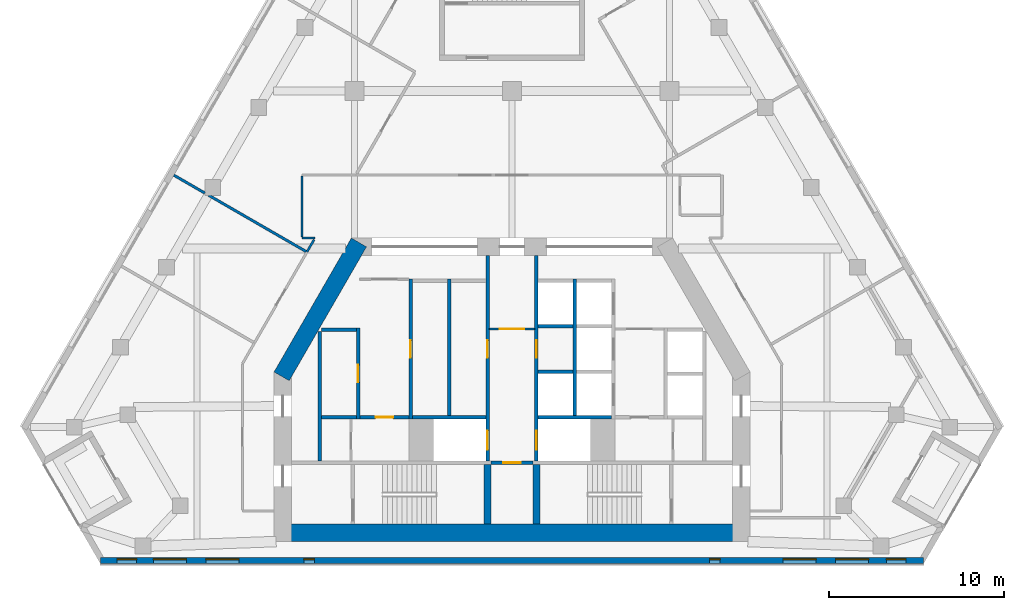
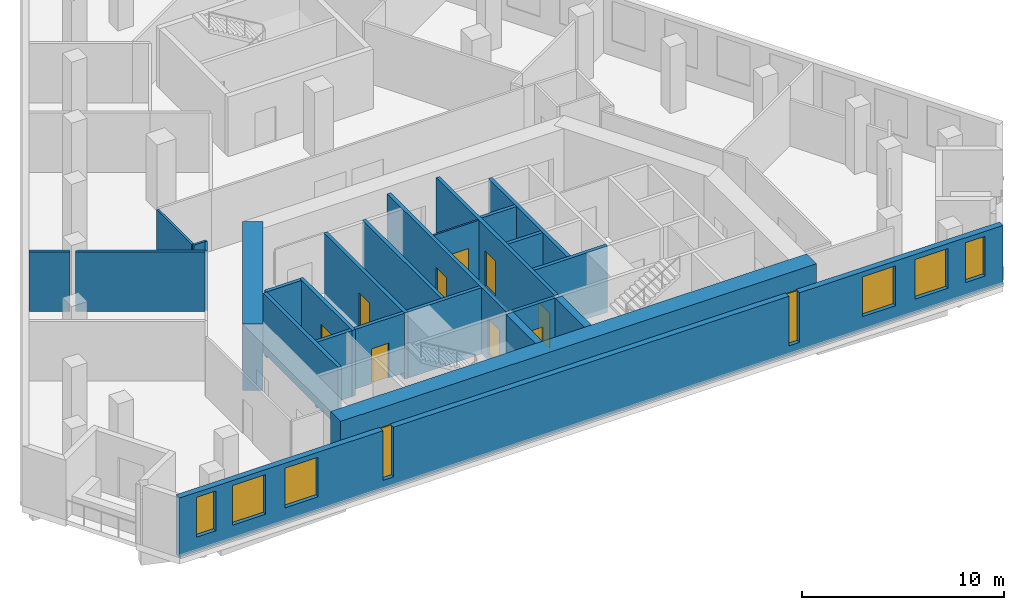
# One storey, part 4 of 9: 26 walls, 9 doors, 8 windows, 17 openings.
"""IFC4 building model written with IfcOpenShell, lengths in metres."""

import ifcopenshell
import ifcopenshell.guid

model = None  # the IFC model being written
_history = None  # IfcOwnerHistory: only IFC2X3 demands one
_inside = {}  # id of a spatial element -> (the spatial element, [elements in it])
_under = {}  # id of a project, library or spatial element -> (it, [spatial elements below it])
_declared = {}  # id of a project -> (the project, [libraries it declares])
_typed = {}  # id of a type object -> (the type object, [elements of that type])
_made_of = {}  # id of a material, layer set ... -> (it, [elements and type objects made of it])


def new_model(schema):
    """Start an empty IFC model of exactly this schema.

    Asked for "IFC4X3", IfcOpenShell would pick the latest addendum, in which some entities
    have other attributes; the version numbers below select the first issue.
    IFC2X3 requires an IfcOwnerHistory on every rooted entity: one is made here for all.
    """
    global model, _history
    if schema == "IFC4X3":
        model = ifcopenshell.file(schema_version=(4, 3, 0, 0))
    else:
        model = ifcopenshell.file(schema=schema)
    _inside.clear()
    _under.clear()
    _declared.clear()
    _typed.clear()
    _made_of.clear()
    _history = None
    if model.schema == "IFC2X3":
        org = make("IfcOrganization", Name="unknown")
        user = make(
            "IfcPersonAndOrganization",
            ThePerson=make("IfcPerson", FamilyName="unknown"),
            TheOrganization=org,
        )
        app = make(
            "IfcApplication",
            ApplicationDeveloper=org,
            Version="unknown",
            ApplicationFullName="unknown",
            ApplicationIdentifier="unknown",
        )
        _history = make(
            "IfcOwnerHistory",
            OwningUser=user,
            OwningApplication=app,
            ChangeAction="ADDED",
            CreationDate=0,
        )
    return model


def make(cls, **values):
    """One entity of the class cls with the attributes given. An attribute that is None is left unset."""
    return model.create_entity(
        cls, **{name: value for name, value in values.items() if value is not None}
    )


def rooted(cls, **values):
    """An entity with a GlobalId (a new one), such as an element, a storey or a relation."""
    return make(cls, GlobalId=ifcopenshell.guid.new(), OwnerHistory=_history, **values)


def si_unit(unit_type, name, prefix=None):
    """IfcSIUnit, for example si_unit("LENGTHUNIT", "METRE", prefix="MILLI")."""
    return make("IfcSIUnit", UnitType=unit_type, Prefix=prefix, Name=name)


def assignment(units):
    """IfcUnitAssignment: the units of a project."""
    return None if units is None else make("IfcUnitAssignment", Units=units)


def point(xyz):
    """IfcCartesianPoint."""
    return None if xyz is None else make("IfcCartesianPoint", Coordinates=xyz)


def direction(xyz):
    """IfcDirection."""
    return None if xyz is None else make("IfcDirection", DirectionRatios=xyz)


def frame(location, z_axis=None, x_axis=None):
    """IfcAxis2Placement3D, a coordinate frame: its origin and axes. An axis left out is left unset."""
    return make(
        "IfcAxis2Placement3D",
        Location=point(location),
        Axis=direction(z_axis),
        RefDirection=direction(x_axis),
    )


def frame_2d(location, x_axis=None):
    """IfcAxis2Placement2D, a coordinate frame in the plane: its origin and x axis."""
    return make(
        "IfcAxis2Placement2D", Location=point(location), RefDirection=direction(x_axis)
    )


def origin():
    """The frame at (0, 0, 0) with its axes left unset."""
    return frame((0.0, 0.0, 0.0))


def place(relative_to, where):
    """IfcLocalPlacement: puts the frame where relative to a parent placement (None: the world)."""
    return make(
        "IfcLocalPlacement", PlacementRelTo=relative_to, RelativePlacement=where
    )


def context(
    kind, dimensions, precision=None, world=None, true_north=None, identifier=None
):
    """IfcGeometricRepresentationContext, for example the 3D "Model" context."""
    return make(
        "IfcGeometricRepresentationContext",
        ContextIdentifier=identifier,
        ContextType=kind,
        CoordinateSpaceDimension=dimensions,
        Precision=precision,
        WorldCoordinateSystem=world,
        TrueNorth=true_north,
    )


def subcontext(parent, identifier, kind, view, scale=None):
    """IfcGeometricRepresentationSubContext, for example "Body" below "Model"."""
    return make(
        "IfcGeometricRepresentationSubContext",
        ContextIdentifier=identifier,
        ContextType=kind,
        ParentContext=parent,
        TargetScale=scale,
        TargetView=view,
    )


def project(units=None, contexts=None):
    """IfcProject with its units and contexts."""
    return rooted(
        "IfcProject",
        Name="project",
        RepresentationContexts=contexts,
        UnitsInContext=assignment(units),
    )


def spatial(cls, under=None, at=None, **own):
    """A site, building, storey or space (cls), placed at a placement, below another one or the project."""
    s = rooted(cls, ObjectPlacement=at, **own)
    if under is not None:
        _under.setdefault(under.id(), (under, []))[1].append(s)
    return s


def profile(cls, at=None, kind="AREA", **sizes):
    """A parametric profile (cls). Its sizes go by their IFC names, for example OverallWidth=200.0."""
    return make(cls, ProfileType=kind, Position=at, **sizes)


def rectangle(**sizes):
    """IfcRectangleProfileDef."""
    return profile("IfcRectangleProfileDef", **sizes)


def extrude(swept, where, along, depth):
    """IfcExtrudedAreaSolid: the profile swept, set in the frame where, extruded along a direction by depth."""
    return make(
        "IfcExtrudedAreaSolid",
        SweptArea=swept,
        Position=where,
        ExtrudedDirection=direction(along),
        Depth=depth,
    )


def shape(context_of_items, identifier, shape_type, items):
    """IfcShapeRepresentation: the items that make up one representation, for example the "Body"."""
    return make(
        "IfcShapeRepresentation",
        ContextOfItems=context_of_items,
        RepresentationIdentifier=identifier,
        RepresentationType=shape_type,
        Items=items,
    )


def material(Name=None, Category=None):
    """IfcMaterial."""
    return make("IfcMaterial", Name=Name, Category=Category)


def layer(
    of_material, thickness, ventilated=None, Name=None, Category=None, Priority=None
):
    """IfcMaterialLayer: one layer of a wall or slab, of a material (None: an air gap)."""
    return make(
        "IfcMaterialLayer",
        Material=of_material,
        LayerThickness=thickness,
        IsVentilated=ventilated,
        Name=Name,
        Category=Category,
        Priority=Priority,
    )


def layer_set(layers, Name=None):
    """IfcMaterialLayerSet."""
    return make("IfcMaterialLayerSet", MaterialLayers=layers, LayerSetName=Name)


def made_of(thing, what):
    """Note that an element or type object is made of a material, layer set ...; save() writes the relation."""
    if what is not None:
        _made_of.setdefault(what.id(), (what, []))[1].append(thing)
    return thing


def type_object(cls, material=None, **own):
    """A type object (cls), such as IfcWallType, which elements share."""
    return made_of(rooted(cls, **own), material)


def element(
    cls,
    number,
    at=None,
    inside=None,
    cuts=None,
    type_object=None,
    material=None,
    context=None,
    identifier="Body",
    shape_type=None,
    held_by="IfcProductDefinitionShape",
    body=None,
    shapes=None,
    **own,
):
    """One element of the class cls, such as IfcWall. Its Tag is "e" and its number.

    at: its placement. inside: the storey or other place that contains it. cuts: it is an
    opening in that element (IfcRelVoidsElement). A single representation is given by context,
    identifier, shape_type and body (its items); several are given by shapes. held_by: the class
    of the entity that holds the representations. save() writes the other relations.
    """
    e = rooted(cls, Tag="e%d" % number, ObjectPlacement=at, **own)
    if body is not None:
        shapes = [shape(context, identifier, shape_type, body)]
    if shapes is not None:
        e.Representation = make(held_by, Representations=shapes)
    if inside is not None:
        _inside.setdefault(inside.id(), (inside, []))[1].append(e)
    if cuts is not None:
        rooted(
            "IfcRelVoidsElement", RelatingBuildingElement=cuts, RelatedOpeningElement=e
        )
    if type_object is not None:
        _typed.setdefault(type_object.id(), (type_object, []))[1].append(e)
    return made_of(e, material)


def fill(opening, filler):
    """IfcRelFillsElement: the door or window that sits in an opening."""
    return rooted(
        "IfcRelFillsElement",
        RelatingOpeningElement=opening,
        RelatedBuildingElement=filler,
    )


def aggregate(whole, parts):
    """IfcRelAggregates: a whole, such as a stair, and the parts it consists of."""
    return rooted("IfcRelAggregates", RelatingObject=whole, RelatedObjects=parts)


def save(model, path):
    """Write the relations noted so far, then the file.

    IfcRelAggregates (storeys below a building ...), IfcRelContainedInSpatialStructure (elements
    in a storey), IfcRelDefinesByType, IfcRelAssociatesMaterial and IfcRelDeclares: one each for
    every whole, place, type object, material and project.
    """
    for whole, parts in _under.values():
        aggregate(whole, parts)
    for where, things in _inside.values():
        rooted(
            "IfcRelContainedInSpatialStructure",
            RelatedElements=things,
            RelatingStructure=where,
        )
    for kind, things in _typed.values():
        rooted("IfcRelDefinesByType", RelatedObjects=things, RelatingType=kind)
    for what, things in _made_of.values():
        rooted("IfcRelAssociatesMaterial", RelatedObjects=things, RelatingMaterial=what)
    for by, libraries in _declared.values():
        rooted("IfcRelDeclares", RelatingContext=by, RelatedDefinitions=libraries)
    model.write(path)


model = new_model("IFC4")

# Units and contexts
model_context = context("Model", 3, precision=1e-05, world=origin(), true_north=direction((0.0, 1.0)))
body_context = subcontext(model_context, "Body", "Model", "MODEL_VIEW")
ifc_project = project(units=[si_unit("LENGTHUNIT", "METRE"), si_unit("AREAUNIT", "SQUARE_METRE"), si_unit("VOLUMEUNIT", "CUBIC_METRE"), si_unit("PLANEANGLEUNIT", "RADIAN"), si_unit("MASSUNIT", "GRAM", prefix="KILO")], contexts=[model_context])

# Site, building, storey
site_placement = place(None, origin())
site = spatial("IfcSite", under=ifc_project, at=site_placement, CompositionType="ELEMENT")
building_placement = place(site_placement, origin())
building = spatial("IfcBuilding", under=site, at=building_placement, Name="Fogline Exchange Tower", CompositionType="ELEMENT")
storey_placement = place(building_placement, frame((0.0, 0.0, 182.10009765625)))
storey = spatial("IfcBuildingStorey", under=building, at=storey_placement, Name="L40", CompositionType="ELEMENT", Elevation=182.10009765625)

# Wall, opening, door
ifc_material_1 = material(Name="Blockwork partition", Category="masonry")
ifc_layer_1 = layer(ifc_material_1, 0.10009765625)
ifc_layer_set_1 = layer_set([ifc_layer_1], Name="CW10")
wall_type_1 = type_object("IfcWallType", Name="CW10", PredefinedType="PARTITIONING", material=ifc_layer_set_1)
wall_1_placement = place(storey_placement, frame((-1.300048828125, 13.39990234375, 0.0), z_axis=(0.0, 0.0, 1.0), x_axis=(1.0, 0.0, 0.0)))
wall_1 = element("IfcWall", 1, at=wall_1_placement, inside=storey, type_object=wall_type_1, Name="Lift lobby partition", PredefinedType="PARTITIONING", context=body_context, shape_type="SweptSolid", body=[
    extrude(rectangle(XDim=2.60009765625, YDim=0.10009765625, at=frame_2d((1.300048828125, 0.0))), origin(), (0.0, 0.0, 1.0), 3.599853515625),
])
opening_1_placement = place(wall_1_placement, frame((0.60009765625, 0.0, 0.0)))
opening_1 = element("IfcOpeningElement", 2, at=opening_1_placement, cuts=wall_1, Name="Opening T13-C018", PredefinedType="OPENING", context=body_context, shape_type="SweptSolid", body=[
    extrude(rectangle(XDim=1.39990234375, YDim=2.10009765625, at=frame_2d((0.699951171875, 1.050048828125))), frame((0.0, 0.06005859375, 0.0), z_axis=(0.0, -1.0, 0.0), x_axis=(1.0, 0.0, 0.0)), (0.0, 0.0, 1.0), 0.1201171875),
])
ifc_material_2 = material(Name="Steel and timber fire door", Category="steel")
door_type_1 = type_object("IfcDoorType", Name="D-LB1", OperationType="DOUBLE_DOOR_SINGLE_SWING", PredefinedType="DOOR", material=ifc_material_2)
door_1_placement = place(opening_1_placement, origin())
door_1 = element("IfcDoor", 3, at=door_1_placement, inside=storey, type_object=door_type_1, Name="Door to firefighting lift lobby", OperationType="DOUBLE_DOOR_SINGLE_SWING", OverallHeight=2.10009765625, OverallWidth=1.39990234375, PredefinedType="DOOR", context=body_context, shape_type="SweptSolid", body=[
    extrude(rectangle(XDim=1.39990234375, YDim=2.10009765625, at=frame_2d((0.699951171875, 1.050048828125))), frame((0.0, 0.02490234375, 0.0), z_axis=(0.0, -1.0, 0.0), x_axis=(1.0, 0.0, 0.0)), (0.0, 0.0, 1.0), 0.050048828125),
])
fill(opening_1, door_1)

# Wall
ifc_material_3 = material(Name="Concrete C40", Category="concrete")
ifc_layer_2 = layer(ifc_material_3, 0.199951171875)
ifc_layer_set_2 = layer_set([ifc_layer_2], Name="CW20")
wall_type_2 = type_object("IfcWallType", Name="CW20", PredefinedType="SOLIDWALL", material=ifc_layer_set_2)
wall_2_placement = place(storey_placement, frame((-11.0, 5.85009765625, 0.0), z_axis=(0.0, 0.0, 1.0), x_axis=(0.0, 1.0, 0.0)))
element("IfcWall", 4, at=wall_2_placement, inside=storey, type_object=wall_type_2, Name="Service room wall", PredefinedType="SOLIDWALL", context=body_context, shape_type="SweptSolid", body=[
    extrude(rectangle(XDim=7.39990234375, YDim=0.199951171875, at=frame_2d((3.699951171875, 0.0))), origin(), (0.0, 0.0, 1.0), 3.599853515625),
])

# Wall, opening, door
wall_3_placement = place(storey_placement, frame((-8.699951171875, 8.35009765625, 0.0), z_axis=(0.0, 0.0, 1.0), x_axis=(1.0, 0.0, 0.0)))
wall_3 = element("IfcWall", 5, at=wall_3_placement, inside=storey, type_object=wall_type_2, Name="WC wall", PredefinedType="SOLIDWALL", context=body_context, shape_type="SweptSolid", body=[
    extrude(rectangle(XDim=2.800048828125, YDim=0.199951171875, at=frame_2d((1.39990234375, 0.0))), origin(), (0.0, 0.0, 1.0), 3.599853515625),
])
opening_2_placement = place(wall_3_placement, frame((0.89990234375, 0.0, 0.0)))
opening_2 = element("IfcOpeningElement", 6, at=opening_2_placement, cuts=wall_3, Name="Opening T13-C007", PredefinedType="OPENING", context=body_context, shape_type="SweptSolid", body=[
    extrude(rectangle(XDim=1.0, YDim=2.10009765625, at=frame_2d((0.5, 1.050048828125))), frame((0.0, 0.10986328125, 0.0), z_axis=(0.0, -1.0, 0.0), x_axis=(1.0, 0.0, 0.0)), (0.0, 0.0, 1.0), 0.219970703125),
])
door_type_2 = type_object("IfcDoorType", Name="D-WC1", OperationType="SINGLE_SWING_LEFT", PredefinedType="DOOR", material=ifc_material_2)
door_2_placement = place(opening_2_placement, frame((1.0, 0.0, 0.0), z_axis=(0.0, 0.0, 1.0), x_axis=(-1.0, 0.0, 0.0)))
door_2 = element("IfcDoor", 7, at=door_2_placement, inside=storey, type_object=door_type_2, Name="Door to Men's WC", OperationType="SINGLE_SWING_LEFT", OverallHeight=2.10009765625, OverallWidth=1.0, PredefinedType="DOOR", context=body_context, shape_type="SweptSolid", body=[
    extrude(rectangle(XDim=1.0, YDim=2.10009765625, at=frame_2d((0.5, 1.050048828125))), frame((0.0, 0.02490234375, 0.0), z_axis=(0.0, -1.0, 0.0), x_axis=(1.0, 0.0, 0.0)), (0.0, 0.0, 1.0), 0.050048828125),
])
fill(opening_2, door_2)

ifc_layer_3 = layer(ifc_material_3, 0.199951171875)
ifc_layer_set_3 = layer_set([ifc_layer_3], Name="CW20R")
wall_type_3 = type_object("IfcWallType", Name="CW20R", PredefinedType="SOLIDWALL", material=ifc_layer_set_3)
wall_4_placement = place(storey_placement, frame((-1.199951171875, 5.75, -0.400146484375), z_axis=(0.0, 0.0, 1.0), x_axis=(1.0, 0.0, 0.0)))
wall_4 = element("IfcWall", 8, at=wall_4_placement, inside=storey, type_object=wall_type_3, Name="Stair enclosure wall", PredefinedType="SOLIDWALL", context=body_context, shape_type="SweptSolid", body=[
    extrude(rectangle(XDim=2.39990234375, YDim=0.199951171875, at=frame_2d((1.199951171875, 0.0))), origin(), (0.0, 0.0, 1.0), 4.0),
])
opening_3_placement = place(wall_4_placement, frame((0.699951171875, 0.0, 0.39990234375)))
opening_3 = element("IfcOpeningElement", 9, at=opening_3_placement, cuts=wall_4, Name="Opening T13-C005", PredefinedType="OPENING", context=body_context, shape_type="SweptSolid", body=[
    extrude(rectangle(XDim=1.0, YDim=2.10009765625, at=frame_2d((0.5, 1.050048828125))), frame((0.0, 0.10986328125, 0.0), z_axis=(0.0, -1.0, 0.0), x_axis=(1.0, 0.0, 0.0)), (0.0, 0.0, 1.0), 0.219970703125),
])
door_type_3 = type_object("IfcDoorType", Name="D-RM1", OperationType="SINGLE_SWING_LEFT", PredefinedType="DOOR", material=ifc_material_2)
door_3_placement = place(opening_3_placement, frame((1.0, 0.0, 0.0), z_axis=(0.0, 0.0, 1.0), x_axis=(-1.0, 0.0, 0.0)))
door_3 = element("IfcDoor", 10, at=door_3_placement, inside=storey, type_object=door_type_3, Name="Door to Riser Room", OperationType="SINGLE_SWING_RIGHT", OverallHeight=2.10009765625, OverallWidth=1.0, PredefinedType="DOOR", context=body_context, shape_type="SweptSolid", body=[
    extrude(rectangle(XDim=1.0, YDim=2.10009765625, at=frame_2d((0.5, 1.050048828125))), frame((0.0, 0.02490234375, 0.0), z_axis=(0.0, -1.0, 0.0), x_axis=(1.0, 0.0, 0.0)), (0.0, 0.0, 1.0), 0.050048828125),
])
fill(opening_3, door_3)

ifc_layer_4 = layer(ifc_material_3, 0.199951171875)
ifc_layer_set_4 = layer_set([ifc_layer_4], Name="CW20S")
wall_type_4 = type_object("IfcWallType", Name="CW20S", PredefinedType="SOLIDWALL", material=ifc_layer_set_4)
wall_5_placement = place(storey_placement, frame((-8.800048828125, 8.25, -0.400146484375), z_axis=(0.0, 0.0, 1.0), x_axis=(0.0, 1.0, 0.0)))
wall_5 = element("IfcWall", 11, at=wall_5_placement, inside=storey, type_object=wall_type_4, Name="Lift shaft wall", PredefinedType="SOLIDWALL", context=body_context, shape_type="SweptSolid", body=[
    extrude(rectangle(XDim=5.199951171875, YDim=0.199951171875, at=frame_2d((2.60009765625, 0.0))), origin(), (0.0, 0.0, 1.0), 4.0),
])
opening_4_placement = place(wall_5_placement, frame((2.10009765625, 0.0, 0.39990234375)))
opening_4 = element("IfcOpeningElement", 12, at=opening_4_placement, cuts=wall_5, Name="Opening T13-C001", PredefinedType="OPENING", context=body_context, shape_type="SweptSolid", body=[
    extrude(rectangle(XDim=1.0, YDim=2.10009765625, at=frame_2d((0.5, 1.050048828125))), frame((0.0, 0.10986328125, 0.0), z_axis=(0.0, -1.0, 0.0), x_axis=(1.0, 0.0, 0.0)), (0.0, 0.0, 1.0), 0.219970703125),
])
door_4_placement = place(opening_4_placement, origin())
door_4 = element("IfcDoor", 13, at=door_4_placement, inside=storey, type_object=door_type_3, Name="Door to Records Room", OperationType="SINGLE_SWING_RIGHT", OverallHeight=2.10009765625, OverallWidth=1.0, PredefinedType="DOOR", context=body_context, shape_type="SweptSolid", body=[
    extrude(rectangle(XDim=1.0, YDim=2.10009765625, at=frame_2d((0.5, 1.050048828125))), frame((0.0, 0.02490234375, 0.0), z_axis=(0.0, -1.0, 0.0), x_axis=(1.0, 0.0, 0.0)), (0.0, 0.0, 1.0), 0.050048828125),
])
fill(opening_4, door_4)

wall_6_placement = place(storey_placement, frame((-5.800048828125, 8.25, -0.400146484375), z_axis=(0.0, 0.0, 1.0), x_axis=(0.0, 1.0, 0.0)))
wall_6 = element("IfcWall", 14, at=wall_6_placement, inside=storey, type_object=wall_type_4, Name="Lift shaft wall", PredefinedType="SOLIDWALL", context=body_context, shape_type="SweptSolid", body=[
    extrude(rectangle(XDim=8.0, YDim=0.199951171875, at=frame_2d((4.0, 0.0))), origin(), (0.0, 0.0, 1.0), 4.0),
])
opening_5_placement = place(wall_6_placement, frame((3.5, 0.0, 0.39990234375)))
opening_5 = element("IfcOpeningElement", 15, at=opening_5_placement, cuts=wall_6, Name="Opening T13-C002", PredefinedType="OPENING", context=body_context, shape_type="SweptSolid", body=[
    extrude(rectangle(XDim=1.0, YDim=2.10009765625, at=frame_2d((0.5, 1.050048828125))), frame((0.0, 0.10986328125, 0.0), z_axis=(0.0, -1.0, 0.0), x_axis=(1.0, 0.0, 0.0)), (0.0, 0.0, 1.0), 0.219970703125),
])
door_5_placement = place(opening_5_placement, frame((1.0, 0.0, 0.0), z_axis=(0.0, 0.0, 1.0), x_axis=(-1.0, 0.0, 0.0)))
door_5 = element("IfcDoor", 16, at=door_5_placement, inside=storey, type_object=door_type_3, Name="Door to Service Hall", OperationType="SINGLE_SWING_RIGHT", OverallHeight=2.10009765625, OverallWidth=1.0, PredefinedType="DOOR", context=body_context, shape_type="SweptSolid", body=[
    extrude(rectangle(XDim=1.0, YDim=2.10009765625, at=frame_2d((0.5, 1.050048828125))), frame((0.0, 0.02490234375, 0.0), z_axis=(0.0, -1.0, 0.0), x_axis=(1.0, 0.0, 0.0)), (0.0, 0.0, 1.0), 0.050048828125),
])
fill(opening_5, door_5)

# Walls
for number, where, z_axis, x_axis, name in (
    (17, (-3.60009765625, 8.449951171875, -0.400146484375), (0.0, 0.0, 1.0), (0.0, 1.0, 0.0), "Lift shaft wall"),
    (18, (3.60009765625, 8.449951171875, -0.400146484375), (0.0, 0.0, 1.0), (0.0, 1.0, 0.0), "Lift shaft wall"),
):
    element("IfcWall", number, at=place(storey_placement, frame(where, z_axis=z_axis, x_axis=x_axis)), inside=storey, type_object=wall_type_4, Name=name, PredefinedType="SOLIDWALL", context=body_context, shape_type="SweptSolid", body=[
        extrude(rectangle(XDim=7.800048828125, YDim=0.199951171875, at=frame_2d((3.89990234375, 0.0))), origin(), (0.0, 0.0, 1.0), 4.0),
    ])

# Wall, openings, doors
wall_7_placement = place(storey_placement, frame((-1.39990234375, 5.85009765625, -0.400146484375), z_axis=(0.0, 0.0, 1.0), x_axis=(0.0, 1.0, 0.0)))
wall_7 = element("IfcWall", 19, at=wall_7_placement, inside=storey, type_object=wall_type_4, Name="Lift lobby wall", PredefinedType="SOLIDWALL", context=body_context, shape_type="SweptSolid", body=[
    extrude(rectangle(XDim=11.75, YDim=0.199951171875, at=frame_2d((5.875, 0.0))), origin(), (0.0, 0.0, 1.0), 4.0),
])
opening_6_placement = place(wall_7_placement, frame((0.64990234375, 0.0, 0.39990234375)))
opening_6 = element("IfcOpeningElement", 20, at=opening_6_placement, cuts=wall_7, Name="Opening T13-LD01", PredefinedType="OPENING", context=body_context, shape_type="SweptSolid", body=[
    extrude(rectangle(XDim=1.10009765625, YDim=2.10009765625, at=frame_2d((0.550048828125, 1.050048828125))), frame((0.0, 0.10986328125, 0.0), z_axis=(0.0, -1.0, 0.0), x_axis=(1.0, 0.0, 0.0)), (0.0, 0.0, 1.0), 0.219970703125),
])
opening_7_placement = place(wall_7_placement, frame((5.89990234375, 0.0, 0.39990234375)))
opening_7 = element("IfcOpeningElement", 21, at=opening_7_placement, cuts=wall_7, Name="Opening T13-C003", PredefinedType="OPENING", context=body_context, shape_type="SweptSolid", body=[
    extrude(rectangle(XDim=1.0, YDim=2.10009765625, at=frame_2d((0.5, 1.050048828125))), frame((0.0, 0.10986328125, 0.0), z_axis=(0.0, -1.0, 0.0), x_axis=(1.0, 0.0, 0.0)), (0.0, 0.0, 1.0), 0.219970703125),
])
door_6_placement = place(opening_7_placement, origin())
door_6 = element("IfcDoor", 22, at=door_6_placement, inside=storey, type_object=door_type_3, Name="Door to Records Hall", OperationType="SINGLE_SWING_LEFT", OverallHeight=2.10009765625, OverallWidth=1.0, PredefinedType="DOOR", context=body_context, shape_type="SweptSolid", body=[
    extrude(rectangle(XDim=1.0, YDim=2.10009765625, at=frame_2d((0.5, 1.050048828125))), frame((0.0, 0.02490234375, 0.0), z_axis=(0.0, -1.0, 0.0), x_axis=(1.0, 0.0, 0.0)), (0.0, 0.0, 1.0), 0.050048828125),
])
fill(opening_7, door_6)
door_type_4 = type_object("IfcDoorType", Name="LD2", OperationType="SLIDING_TO_RIGHT", PredefinedType="DOOR", material=ifc_material_2)
door_7_placement = place(opening_6_placement, origin())
door_7 = element("IfcDoor", 23, at=door_7_placement, inside=storey, type_object=door_type_4, Name="Landing door FF1", OperationType="SLIDING_TO_RIGHT", OverallHeight=2.10009765625, OverallWidth=1.10009765625, PredefinedType="DOOR", context=body_context, shape_type="SweptSolid", body=[
    extrude(rectangle(XDim=1.10009765625, YDim=2.10009765625, at=frame_2d((0.550048828125, 1.050048828125))), frame((0.0, 0.02490234375, 0.0), z_axis=(0.0, -1.0, 0.0), x_axis=(1.0, 0.0, 0.0)), (0.0, 0.0, 1.0), 0.050048828125),
])
fill(opening_6, door_7)

wall_8_placement = place(storey_placement, frame((1.39990234375, 5.85009765625, -0.400146484375), z_axis=(0.0, 0.0, 1.0), x_axis=(0.0, 1.0, 0.0)))
wall_8 = element("IfcWall", 24, at=wall_8_placement, inside=storey, type_object=wall_type_4, Name="Lift lobby wall", PredefinedType="SOLIDWALL", context=body_context, shape_type="SweptSolid", body=[
    extrude(rectangle(XDim=11.75, YDim=0.199951171875, at=frame_2d((5.875, 0.0))), origin(), (0.0, 0.0, 1.0), 4.0),
])
opening_8_placement = place(wall_8_placement, frame((0.64990234375, 0.0, 0.39990234375)))
opening_8 = element("IfcOpeningElement", 25, at=opening_8_placement, cuts=wall_8, Name="Opening T13-LD05", PredefinedType="OPENING", context=body_context, shape_type="SweptSolid", body=[
    extrude(rectangle(XDim=1.10009765625, YDim=2.10009765625, at=frame_2d((0.550048828125, 1.050048828125))), frame((0.0, 0.10986328125, 0.0), z_axis=(0.0, -1.0, 0.0), x_axis=(1.0, 0.0, 0.0)), (0.0, 0.0, 1.0), 0.219970703125),
])
opening_9_placement = place(wall_8_placement, frame((5.89990234375, 0.0, 0.39990234375)))
opening_9 = element("IfcOpeningElement", 26, at=opening_9_placement, cuts=wall_8, Name="Opening T13-C004", PredefinedType="OPENING", context=body_context, shape_type="SweptSolid", body=[
    extrude(rectangle(XDim=1.0, YDim=2.10009765625, at=frame_2d((0.5, 1.050048828125))), frame((0.0, 0.10986328125, 0.0), z_axis=(0.0, -1.0, 0.0), x_axis=(1.0, 0.0, 0.0)), (0.0, 0.0, 1.0), 0.219970703125),
])
door_8_placement = place(opening_9_placement, frame((1.0, 0.0, 0.0), z_axis=(0.0, 0.0, 1.0), x_axis=(-1.0, 0.0, 0.0)))
door_8 = element("IfcDoor", 27, at=door_8_placement, inside=storey, type_object=door_type_3, Name="Door to Plant Room", OperationType="SINGLE_SWING_RIGHT", OverallHeight=2.10009765625, OverallWidth=1.0, PredefinedType="DOOR", context=body_context, shape_type="SweptSolid", body=[
    extrude(rectangle(XDim=1.0, YDim=2.10009765625, at=frame_2d((0.5, 1.050048828125))), frame((0.0, 0.02490234375, 0.0), z_axis=(0.0, -1.0, 0.0), x_axis=(1.0, 0.0, 0.0)), (0.0, 0.0, 1.0), 0.050048828125),
])
fill(opening_9, door_8)
door_9_placement = place(opening_8_placement, origin())
door_9 = element("IfcDoor", 28, at=door_9_placement, inside=storey, type_object=door_type_4, Name="Landing door FF2", OperationType="SLIDING_TO_RIGHT", OverallHeight=2.10009765625, OverallWidth=1.10009765625, PredefinedType="DOOR", context=body_context, shape_type="SweptSolid", body=[
    extrude(rectangle(XDim=1.10009765625, YDim=2.10009765625, at=frame_2d((0.550048828125, 1.050048828125))), frame((0.0, 0.02490234375, 0.0), z_axis=(0.0, -1.0, 0.0), x_axis=(1.0, 0.0, 0.0)), (0.0, 0.0, 1.0), 0.050048828125),
])
fill(opening_8, door_9)

# Walls
wall_9_placement = place(storey_placement, frame((-10.89990234375, 8.35009765625, -0.400146484375), z_axis=(0.0, 0.0, 1.0), x_axis=(1.0, 0.0, 0.0)))
element("IfcWall", 29, at=wall_9_placement, inside=storey, type_object=wall_type_4, Name="Lift shaft wall", PredefinedType="SOLIDWALL", context=body_context, shape_type="SweptSolid", body=[
    extrude(rectangle(XDim=2.0, YDim=0.199951171875, at=frame_2d((1.0, 0.0))), origin(), (0.0, 0.0, 1.0), 4.0),
])
for number, where, z_axis, x_axis, name in (
    (30, (-5.699951171875, 8.35009765625, -0.400146484375), (0.0, 0.0, 1.0), (1.0, 0.0, 0.0), "Lift shaft wall"),
    (31, (1.5, 8.35009765625, -0.400146484375), (0.0, 0.0, 1.0), (1.0, 0.0, 0.0), "Lift shaft wall"),
):
    element("IfcWall", number, at=place(storey_placement, frame(where, z_axis=z_axis, x_axis=x_axis)), inside=storey, type_object=wall_type_4, Name=name, PredefinedType="SOLIDWALL", context=body_context, shape_type="SweptSolid", body=[
        extrude(rectangle(XDim=4.199951171875, YDim=0.199951171875, at=frame_2d((2.10009765625, 0.0))), origin(), (0.0, 0.0, 1.0), 4.0),
    ])
for number, where, z_axis, x_axis, name in (
    (32, (-10.89990234375, 13.35009765625, -0.400146484375), (0.0, 0.0, 1.0), (1.0, 0.0, 0.0), "Lift shaft wall"),
    (33, (1.5, 10.949951171875, -0.400146484375), (0.0, 0.0, 1.0), (1.0, 0.0, 0.0), "Lift shaft wall"),
    (34, (1.5, 13.550048828125, -0.400146484375), (0.0, 0.0, 1.0), (1.0, 0.0, 0.0), "Lift shaft wall"),
):
    element("IfcWall", number, at=place(storey_placement, frame(where, z_axis=z_axis, x_axis=x_axis)), inside=storey, type_object=wall_type_4, Name=name, PredefinedType="SOLIDWALL", context=body_context, shape_type="SweptSolid", body=[
        extrude(rectangle(XDim=2.0, YDim=0.199951171875, at=frame_2d((1.0, 0.0))), origin(), (0.0, 0.0, 1.0), 4.0),
    ])
ifc_layer_5 = layer(ifc_material_3, 0.39990234375)
ifc_layer_set_5 = layer_set([ifc_layer_5], Name="CW40R")
wall_type_5 = type_object("IfcWallType", Name="CW40R", PredefinedType="SOLIDWALL", material=ifc_layer_set_5)
for number, where, z_axis, x_axis, name in (
    (35, (-1.39990234375, 2.25, -0.400146484375), (0.0, 0.0, 1.0), (0.0, 1.0, 0.0), "Stair and lift shaft wall"),
    (36, (1.39990234375, 2.25, -0.400146484375), (0.0, 0.0, 1.0), (0.0, 1.0, 0.0), "Stair and lift shaft wall"),
):
    element("IfcWall", number, at=place(storey_placement, frame(where, z_axis=z_axis, x_axis=x_axis)), inside=storey, type_object=wall_type_5, Name=name, PredefinedType="SOLIDWALL", context=body_context, shape_type="SweptSolid", body=[
        extrude(rectangle(XDim=3.39990234375, YDim=0.39990234375, at=frame_2d((1.699951171875, 0.0))), origin(), (0.0, 0.0, 1.0), 4.0),
    ])

# Wall, openings, windows
ifc_material_4 = material(Name="Brick masonry", Category="masonry")
ifc_layer_6 = layer(ifc_material_4, 0.340087890625)
ifc_layer_set_6 = layer_set([ifc_layer_6], Name="FW1")
wall_type_6 = type_object("IfcWallType", Name="FW1", PredefinedType="SOLIDWALL", material=ifc_layer_set_6)
wall_10_placement = place(storey_placement, frame((-23.53125, 0.169921875, 0.0), z_axis=(0.0, 0.0, 1.0), x_axis=(1.0, 0.0, 0.0)))
wall_10 = element("IfcWall", 37, at=wall_10_placement, inside=storey, type_object=wall_type_6, Name="Brick wall L40 S", PredefinedType="SOLIDWALL", context=body_context, shape_type="SweptSolid", body=[
    extrude(rectangle(XDim=47.0625, YDim=0.340087890625, at=frame_2d((23.53125, 0.0))), origin(), (0.0, 0.0, 1.0), 3.599853515625),
])
opening_10_placement = place(wall_10_placement, frame((3.03125, 0.0, 0.89990234375)))
opening_10 = element("IfcOpeningElement", 38, at=opening_10_placement, cuts=wall_10, Name="Opening W1", PredefinedType="OPENING", context=body_context, shape_type="SweptSolid", body=[
    extrude(rectangle(XDim=1.885009765625, YDim=2.39990234375, at=frame_2d((0.9423828125, 1.199951171875))), frame((0.0, 0.18017578125, 0.0), z_axis=(0.0, -1.0, 0.0), x_axis=(1.0, 0.0, 0.0)), (0.0, 0.0, 1.0), 0.360107421875),
])
opening_11_placement = place(wall_10_placement, frame((6.03125, 0.0, 0.89990234375)))
opening_11 = element("IfcOpeningElement", 39, at=opening_11_placement, cuts=wall_10, Name="Opening W1", PredefinedType="OPENING", context=body_context, shape_type="SweptSolid", body=[
    extrude(rectangle(XDim=1.885009765625, YDim=2.39990234375, at=frame_2d((0.9423828125, 1.199951171875))), frame((0.0, 0.18017578125, 0.0), z_axis=(0.0, -1.0, 0.0), x_axis=(1.0, 0.0, 0.0)), (0.0, 0.0, 1.0), 0.360107421875),
])
opening_12_placement = place(wall_10_placement, frame((39.03125, 0.0, 0.89990234375)))
opening_12 = element("IfcOpeningElement", 40, at=opening_12_placement, cuts=wall_10, Name="Opening W1", PredefinedType="OPENING", context=body_context, shape_type="SweptSolid", body=[
    extrude(rectangle(XDim=1.885009765625, YDim=2.39990234375, at=frame_2d((0.9423828125, 1.199951171875))), frame((0.0, 0.18017578125, 0.0), z_axis=(0.0, -1.0, 0.0), x_axis=(1.0, 0.0, 0.0)), (0.0, 0.0, 1.0), 0.360107421875),
])
opening_13_placement = place(wall_10_placement, frame((42.03125, 0.0, 0.89990234375)))
opening_13 = element("IfcOpeningElement", 41, at=opening_13_placement, cuts=wall_10, Name="Opening W1", PredefinedType="OPENING", context=body_context, shape_type="SweptSolid", body=[
    extrude(rectangle(XDim=1.885009765625, YDim=2.39990234375, at=frame_2d((0.9423828125, 1.199951171875))), frame((0.0, 0.18017578125, 0.0), z_axis=(0.0, -1.0, 0.0), x_axis=(1.0, 0.0, 0.0)), (0.0, 0.0, 1.0), 0.360107421875),
])
opening_14_placement = place(wall_10_placement, frame((0.958251953125, 0.0, 0.89990234375)))
opening_14 = element("IfcOpeningElement", 42, at=opening_14_placement, cuts=wall_10, Name="Opening W4", PredefinedType="OPENING", context=body_context, shape_type="SweptSolid", body=[
    extrude(rectangle(XDim=1.114990234375, YDim=2.39990234375, at=frame_2d((0.5576171875, 1.199951171875))), frame((0.0, 0.18017578125, 0.0), z_axis=(0.0, -1.0, 0.0), x_axis=(1.0, 0.0, 0.0)), (0.0, 0.0, 1.0), 0.360107421875),
])
opening_15_placement = place(wall_10_placement, frame((44.931884765625, 0.0, 0.89990234375)))
opening_15 = element("IfcOpeningElement", 43, at=opening_15_placement, cuts=wall_10, Name="Opening W4", PredefinedType="OPENING", context=body_context, shape_type="SweptSolid", body=[
    extrude(rectangle(XDim=1.114990234375, YDim=2.39990234375, at=frame_2d((0.5576171875, 1.199951171875))), frame((0.0, 0.18017578125, 0.0), z_axis=(0.0, -1.0, 0.0), x_axis=(1.0, 0.0, 0.0)), (0.0, 0.0, 1.0), 0.360107421875),
])
opening_16_placement = place(wall_10_placement, frame((11.63134765625, 0.0, 0.60009765625)))
opening_16 = element("IfcOpeningElement", 44, at=opening_16_placement, cuts=wall_10, Name="Opening W5", PredefinedType="OPENING", context=body_context, shape_type="SweptSolid", body=[
    extrude(rectangle(XDim=0.60009765625, YDim=3.0, at=frame_2d((0.300048828125, 1.5))), frame((0.0, 0.18017578125, 0.0), z_axis=(0.0, -1.0, 0.0), x_axis=(1.0, 0.0, 0.0)), (0.0, 0.0, 1.0), 0.360107421875),
])
opening_17_placement = place(wall_10_placement, frame((34.831298828125, 0.0, 0.60009765625)))
opening_17 = element("IfcOpeningElement", 45, at=opening_17_placement, cuts=wall_10, Name="Opening W5", PredefinedType="OPENING", context=body_context, shape_type="SweptSolid", body=[
    extrude(rectangle(XDim=0.60009765625, YDim=3.0, at=frame_2d((0.300048828125, 1.5))), frame((0.0, 0.18017578125, 0.0), z_axis=(0.0, -1.0, 0.0), x_axis=(1.0, 0.0, 0.0)), (0.0, 0.0, 1.0), 0.360107421875),
])
ifc_material_5 = material(Name="Aluminium and glass", Category="aluminium")
window_type_1 = type_object("IfcWindowType", Name="W1", PartitioningType="SINGLE_PANEL", PredefinedType="WINDOW", material=ifc_material_5)
window_1_placement = place(opening_10_placement, origin())
window_1 = element("IfcWindow", 46, at=window_1_placement, inside=storey, type_object=window_type_1, Name="W1 W1", OverallHeight=2.39990234375, OverallWidth=1.885009765625, PartitioningType="SINGLE_PANEL", PredefinedType="WINDOW", context=body_context, shape_type="SweptSolid", body=[
    extrude(rectangle(XDim=1.885009765625, YDim=2.39990234375, at=frame_2d((0.9423828125, 1.199951171875))), frame((0.0, 0.110107421875, 0.0), z_axis=(0.0, -1.0, 0.0), x_axis=(1.0, 0.0, 0.0)), (0.0, 0.0, 1.0), 0.06005859375),
])
fill(opening_10, window_1)
window_2_placement = place(opening_11_placement, origin())
window_2 = element("IfcWindow", 47, at=window_2_placement, inside=storey, type_object=window_type_1, Name="W1 W1", OverallHeight=2.39990234375, OverallWidth=1.885009765625, PartitioningType="SINGLE_PANEL", PredefinedType="WINDOW", context=body_context, shape_type="SweptSolid", body=[
    extrude(rectangle(XDim=1.885009765625, YDim=2.39990234375, at=frame_2d((0.9423828125, 1.199951171875))), frame((0.0, 0.110107421875, 0.0), z_axis=(0.0, -1.0, 0.0), x_axis=(1.0, 0.0, 0.0)), (0.0, 0.0, 1.0), 0.06005859375),
])
fill(opening_11, window_2)
window_3_placement = place(opening_12_placement, origin())
window_3 = element("IfcWindow", 48, at=window_3_placement, inside=storey, type_object=window_type_1, Name="W1 W1", OverallHeight=2.39990234375, OverallWidth=1.885009765625, PartitioningType="SINGLE_PANEL", PredefinedType="WINDOW", context=body_context, shape_type="SweptSolid", body=[
    extrude(rectangle(XDim=1.885009765625, YDim=2.39990234375, at=frame_2d((0.9423828125, 1.199951171875))), frame((0.0, 0.110107421875, 0.0), z_axis=(0.0, -1.0, 0.0), x_axis=(1.0, 0.0, 0.0)), (0.0, 0.0, 1.0), 0.06005859375),
])
fill(opening_12, window_3)
window_4_placement = place(opening_13_placement, origin())
window_4 = element("IfcWindow", 49, at=window_4_placement, inside=storey, type_object=window_type_1, Name="W1 W1", OverallHeight=2.39990234375, OverallWidth=1.885009765625, PartitioningType="SINGLE_PANEL", PredefinedType="WINDOW", context=body_context, shape_type="SweptSolid", body=[
    extrude(rectangle(XDim=1.885009765625, YDim=2.39990234375, at=frame_2d((0.9423828125, 1.199951171875))), frame((0.0, 0.110107421875, 0.0), z_axis=(0.0, -1.0, 0.0), x_axis=(1.0, 0.0, 0.0)), (0.0, 0.0, 1.0), 0.06005859375),
])
fill(opening_13, window_4)
window_type_2 = type_object("IfcWindowType", Name="W4", PartitioningType="SINGLE_PANEL", PredefinedType="WINDOW", material=ifc_material_5)
window_5_placement = place(opening_14_placement, origin())
window_5 = element("IfcWindow", 50, at=window_5_placement, inside=storey, type_object=window_type_2, Name="W4 W4", OverallHeight=2.39990234375, OverallWidth=1.114990234375, PartitioningType="SINGLE_PANEL", PredefinedType="WINDOW", context=body_context, shape_type="SweptSolid", body=[
    extrude(rectangle(XDim=1.114990234375, YDim=2.39990234375, at=frame_2d((0.5576171875, 1.199951171875))), frame((0.0, 0.110107421875, 0.0), z_axis=(0.0, -1.0, 0.0), x_axis=(1.0, 0.0, 0.0)), (0.0, 0.0, 1.0), 0.06005859375),
])
fill(opening_14, window_5)
window_6_placement = place(opening_15_placement, origin())
window_6 = element("IfcWindow", 51, at=window_6_placement, inside=storey, type_object=window_type_2, Name="W4 W4", OverallHeight=2.39990234375, OverallWidth=1.114990234375, PartitioningType="SINGLE_PANEL", PredefinedType="WINDOW", context=body_context, shape_type="SweptSolid", body=[
    extrude(rectangle(XDim=1.114990234375, YDim=2.39990234375, at=frame_2d((0.5576171875, 1.199951171875))), frame((0.0, 0.110107421875, 0.0), z_axis=(0.0, -1.0, 0.0), x_axis=(1.0, 0.0, 0.0)), (0.0, 0.0, 1.0), 0.06005859375),
])
fill(opening_15, window_6)
window_type_3 = type_object("IfcWindowType", Name="W5", PartitioningType="SINGLE_PANEL", PredefinedType="WINDOW", material=ifc_material_5)
window_7_placement = place(opening_16_placement, origin())
window_7 = element("IfcWindow", 52, at=window_7_placement, inside=storey, type_object=window_type_3, Name="W5 W5", OverallHeight=3.0, OverallWidth=0.60009765625, PartitioningType="SINGLE_PANEL", PredefinedType="WINDOW", context=body_context, shape_type="SweptSolid", body=[
    extrude(rectangle(XDim=0.60009765625, YDim=3.0, at=frame_2d((0.300048828125, 1.5))), frame((0.0, 0.110107421875, 0.0), z_axis=(0.0, -1.0, 0.0), x_axis=(1.0, 0.0, 0.0)), (0.0, 0.0, 1.0), 0.06005859375),
])
fill(opening_16, window_7)
window_8_placement = place(opening_17_placement, origin())
window_8 = element("IfcWindow", 53, at=window_8_placement, inside=storey, type_object=window_type_3, Name="W5 W5", OverallHeight=3.0, OverallWidth=0.60009765625, PartitioningType="SINGLE_PANEL", PredefinedType="WINDOW", context=body_context, shape_type="SweptSolid", body=[
    extrude(rectangle(XDim=0.60009765625, YDim=3.0, at=frame_2d((0.300048828125, 1.5))), frame((0.0, 0.110107421875, 0.0), z_axis=(0.0, -1.0, 0.0), x_axis=(1.0, 0.0, 0.0)), (0.0, 0.0, 1.0), 0.06005859375),
])
fill(opening_17, window_8)

# Walls
ifc_material_6 = material(Name="Plasterboard corridor partition with mineral wool, 2 layers each side")
ifc_layer_7 = layer(ifc_material_6, 0.125)
ifc_layer_set_7 = layer_set([ifc_layer_7], Name="PW2")
wall_type_7 = type_object("IfcWallType", Name="PW2", PredefinedType="PARTITIONING", material=ifc_layer_set_7)
wall_11_placement = place(storey_placement, frame((-11.259033203125, 18.60009765625, 0.0), z_axis=(0.0, 0.0, 1.0), x_axis=(-1.0, 0.0, 0.0)))
element("IfcWall", 54, at=wall_11_placement, inside=storey, type_object=wall_type_7, Name="wall-L40-W011", PredefinedType="PARTITIONING", context=body_context, shape_type="SweptSolid", body=[
    extrude(rectangle(XDim=0.740966796875, YDim=0.125, at=frame_2d((0.37060546875, 0.0))), origin(), (0.0, 0.0, 1.0), 3.599853515625),
])
wall_12_placement = place(storey_placement, frame((-12.0, 18.66259765625, 0.0), z_axis=(0.0, 0.0, 1.0), x_axis=(0.0, 1.0, 0.0)))
element("IfcWall", 55, at=wall_12_placement, inside=storey, type_object=wall_type_7, Name="wall-L40-W012", PredefinedType="PARTITIONING", context=body_context, shape_type="SweptSolid", body=[
    extrude(rectangle(XDim=3.474853515625, YDim=0.125, at=frame_2d((1.7373046875, 0.0))), origin(), (0.0, 0.0, 1.0), 3.599853515625),
])
wall_13_placement = place(storey_placement, frame((-11.719482421875, 17.802490234375, 0.0), z_axis=(0.0, 0.0, 1.0), x_axis=(0.499921960197, 0.866070455398, 0.0)))
element("IfcWall", 56, at=wall_13_placement, inside=storey, type_object=wall_type_7, Name="wall-L40-W014", PredefinedType="PARTITIONING", context=body_context, shape_type="SweptSolid", body=[
    extrude(rectangle(XDim=0.812255859375, YDim=0.125, at=frame_2d((0.40625, 0.0))), origin(), (0.0, 0.0, 1.0), 3.599853515625),
])
ifc_material_7 = material(Name="Plasterboard demising partition with mineral wool and acoustic board")
ifc_layer_8 = layer(ifc_material_7, 0.14990234375)
ifc_layer_set_8 = layer_set([ifc_layer_8], Name="PW3")
wall_type_8 = type_object("IfcWallType", Name="PW3", PredefinedType="PARTITIONING", material=ifc_layer_set_8)
wall_14_placement = place(storey_placement, frame((-11.773681640625, 17.83349609375, 0.0), z_axis=(0.0, 0.0, 1.0), x_axis=(-0.866011447264, 0.500024172624, 0.0)))
element("IfcWall", 57, at=wall_14_placement, inside=storey, type_object=wall_type_8, Name="wall-L40-W039", PredefinedType="PARTITIONING", context=body_context, shape_type="SweptSolid", body=[
    extrude(rectangle(XDim=6.420654296875, YDim=0.14990234375, at=frame_2d((3.21044921875, 0.0))), origin(), (0.0, 0.0, 1.0), 3.599853515625),
])
wall_15_placement = place(storey_placement, frame((-17.55517578125, 21.17138671875, 0.0), z_axis=(0.0, 0.0, 1.0), x_axis=(-0.865962786951, 0.500108439857, 0.0)))
element("IfcWall", 58, at=wall_15_placement, inside=storey, type_object=wall_type_8, Name="wall-L40-W040", PredefinedType="PARTITIONING", context=body_context, shape_type="SweptSolid", body=[
    extrude(rectangle(XDim=2.0439453125, YDim=0.14990234375, at=frame_2d((1.02197265625, 0.0))), origin(), (0.0, 0.0, 1.0), 3.599853515625),
])
ifc_material_8 = material(Name="Concrete C60", Category="concrete")
ifc_layer_9 = layer(ifc_material_8, 1.0)
ifc_layer_set_9 = layer_set([ifc_layer_9], Name="SW03")
wall_type_9 = type_object("IfcWallType", Name="SW03", PredefinedType="SHEAR", material=ifc_layer_set_9)
wall_16_placement = place(storey_placement, frame((-13.60009765625, 1.75, 0.0), z_axis=(0.0, 0.0, 1.0), x_axis=(1.0, 0.0, 0.0)))
element("IfcWall", 59, at=wall_16_placement, inside=storey, type_object=wall_type_9, Name="L40-W901", PredefinedType="SHEAR", context=body_context, shape_type="SweptSolid", body=[
    extrude(rectangle(XDim=27.2001953125, YDim=1.0, at=frame_2d((13.60009765625, 0.0))), origin(), (0.0, 0.0, 1.0), 4.0),
])
wall_17_placement = place(storey_placement, frame((-8.74755859375, 18.35009765625, 0.0), z_axis=(0.0, 0.0, 1.0), x_axis=(-0.499995021168, -0.866028278295, 0.0)))
element("IfcWall", 60, at=wall_17_placement, inside=storey, type_object=wall_type_9, Name="L40-W905", PredefinedType="SHEAR", context=body_context, shape_type="SweptSolid", body=[
    extrude(rectangle(XDim=8.8388671875, YDim=1.0, at=frame_2d((4.41943359375, 0.0))), origin(), (0.0, 0.0, 1.0), 4.0),
])

save(model, "model.ifc")
